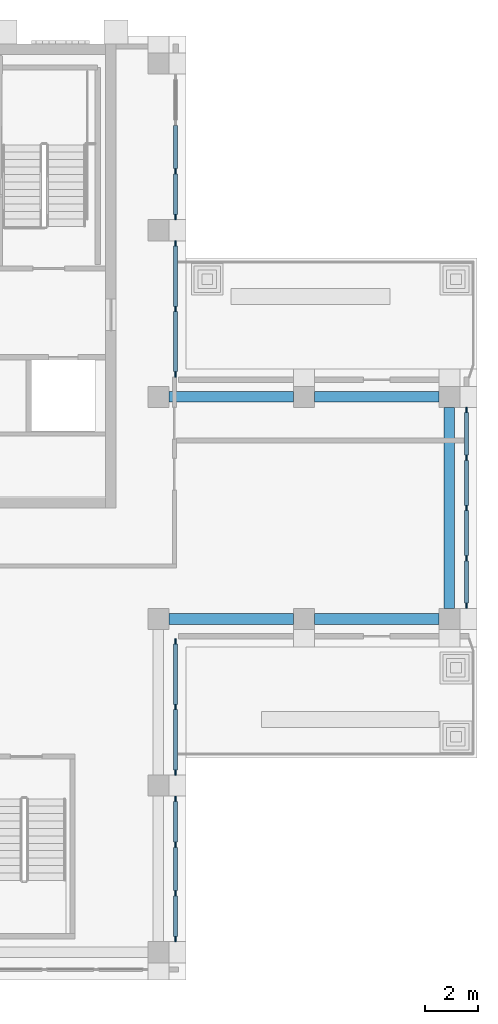
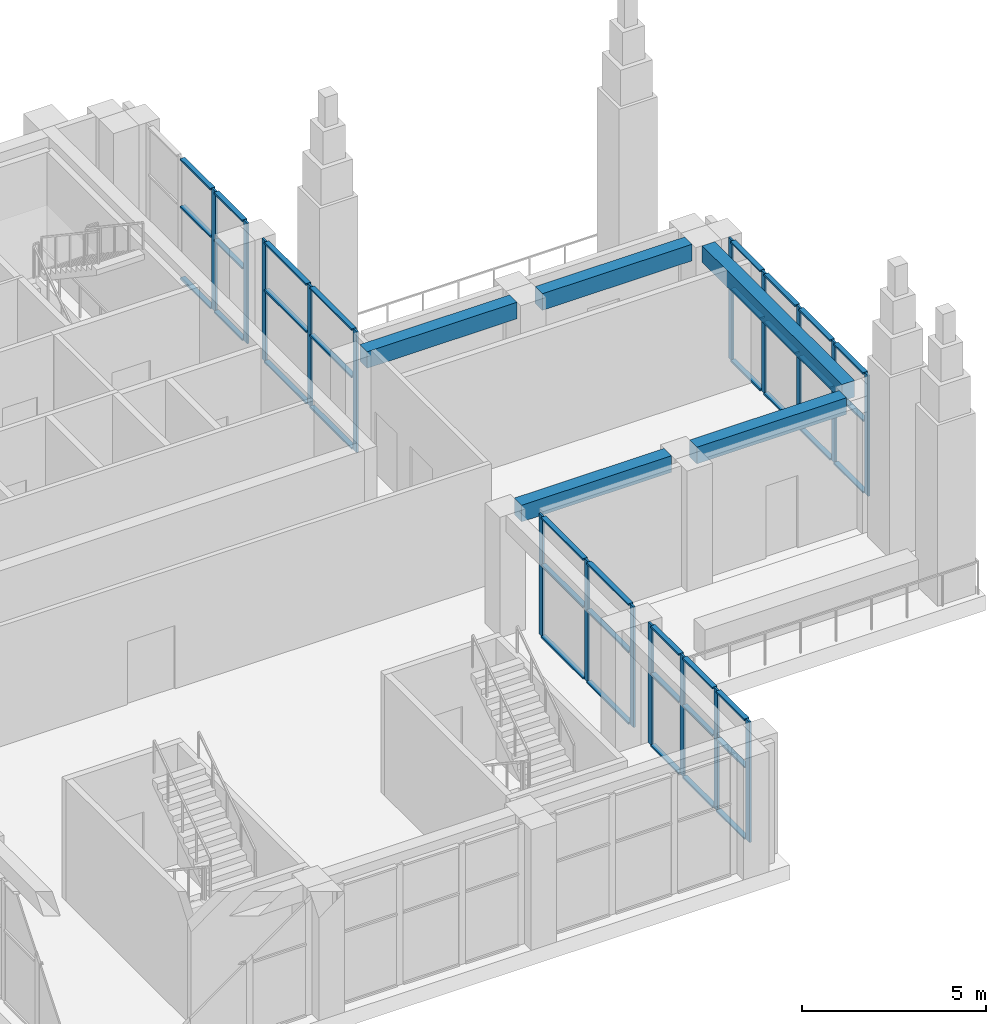
# One storey, part 5 of 14: 56 members, 5 beams, 5 elements without a shape of their own.
"""IFC4 building model written with IfcOpenShell, lengths in metres."""

import ifcopenshell
import ifcopenshell.guid

model = None  # the IFC model being written
_history = None  # IfcOwnerHistory: only IFC2X3 demands one
_inside = {}  # id of a spatial element -> (the spatial element, [elements in it])
_under = {}  # id of a project, library or spatial element -> (it, [spatial elements below it])
_declared = {}  # id of a project -> (the project, [libraries it declares])
_typed = {}  # id of a type object -> (the type object, [elements of that type])
_made_of = {}  # id of a material, layer set ... -> (it, [elements and type objects made of it])


def new_model(schema):
    """Start an empty IFC model of exactly this schema.

    Asked for "IFC4X3", IfcOpenShell would pick the latest addendum, in which some entities
    have other attributes; the version numbers below select the first issue.
    IFC2X3 requires an IfcOwnerHistory on every rooted entity: one is made here for all.
    """
    global model, _history
    if schema == "IFC4X3":
        model = ifcopenshell.file(schema_version=(4, 3, 0, 0))
    else:
        model = ifcopenshell.file(schema=schema)
    _inside.clear()
    _under.clear()
    _declared.clear()
    _typed.clear()
    _made_of.clear()
    _history = None
    if model.schema == "IFC2X3":
        org = make("IfcOrganization", Name="unknown")
        user = make(
            "IfcPersonAndOrganization",
            ThePerson=make("IfcPerson", FamilyName="unknown"),
            TheOrganization=org,
        )
        app = make(
            "IfcApplication",
            ApplicationDeveloper=org,
            Version="unknown",
            ApplicationFullName="unknown",
            ApplicationIdentifier="unknown",
        )
        _history = make(
            "IfcOwnerHistory",
            OwningUser=user,
            OwningApplication=app,
            ChangeAction="ADDED",
            CreationDate=0,
        )
    return model


def make(cls, **values):
    """One entity of the class cls with the attributes given. An attribute that is None is left unset."""
    return model.create_entity(
        cls, **{name: value for name, value in values.items() if value is not None}
    )


def rooted(cls, **values):
    """An entity with a GlobalId (a new one), such as an element, a storey or a relation."""
    return make(cls, GlobalId=ifcopenshell.guid.new(), OwnerHistory=_history, **values)


def si_unit(unit_type, name, prefix=None):
    """IfcSIUnit, for example si_unit("LENGTHUNIT", "METRE", prefix="MILLI")."""
    return make("IfcSIUnit", UnitType=unit_type, Prefix=prefix, Name=name)


def assignment(units):
    """IfcUnitAssignment: the units of a project."""
    return None if units is None else make("IfcUnitAssignment", Units=units)


def point(xyz):
    """IfcCartesianPoint."""
    return None if xyz is None else make("IfcCartesianPoint", Coordinates=xyz)


def direction(xyz):
    """IfcDirection."""
    return None if xyz is None else make("IfcDirection", DirectionRatios=xyz)


def frame(location, z_axis=None, x_axis=None):
    """IfcAxis2Placement3D, a coordinate frame: its origin and axes. An axis left out is left unset."""
    return make(
        "IfcAxis2Placement3D",
        Location=point(location),
        Axis=direction(z_axis),
        RefDirection=direction(x_axis),
    )


def frame_2d(location, x_axis=None):
    """IfcAxis2Placement2D, a coordinate frame in the plane: its origin and x axis."""
    return make(
        "IfcAxis2Placement2D", Location=point(location), RefDirection=direction(x_axis)
    )


def origin():
    """The frame at (0, 0, 0) with its axes left unset."""
    return frame((0.0, 0.0, 0.0))


def origin_2d():
    """The frame at (0, 0) in the plane with its x axis left unset."""
    return frame_2d((0.0, 0.0))


def place(relative_to, where):
    """IfcLocalPlacement: puts the frame where relative to a parent placement (None: the world)."""
    return make(
        "IfcLocalPlacement", PlacementRelTo=relative_to, RelativePlacement=where
    )


def context(
    kind, dimensions, precision=None, world=None, true_north=None, identifier=None
):
    """IfcGeometricRepresentationContext, for example the 3D "Model" context."""
    return make(
        "IfcGeometricRepresentationContext",
        ContextIdentifier=identifier,
        ContextType=kind,
        CoordinateSpaceDimension=dimensions,
        Precision=precision,
        WorldCoordinateSystem=world,
        TrueNorth=true_north,
    )


def subcontext(parent, identifier, kind, view, scale=None):
    """IfcGeometricRepresentationSubContext, for example "Body" below "Model"."""
    return make(
        "IfcGeometricRepresentationSubContext",
        ContextIdentifier=identifier,
        ContextType=kind,
        ParentContext=parent,
        TargetScale=scale,
        TargetView=view,
    )


def project(units=None, contexts=None):
    """IfcProject with its units and contexts."""
    return rooted(
        "IfcProject",
        Name="project",
        RepresentationContexts=contexts,
        UnitsInContext=assignment(units),
    )


def spatial(cls, under=None, at=None, **own):
    """A site, building, storey or space (cls), placed at a placement, below another one or the project."""
    s = rooted(cls, ObjectPlacement=at, **own)
    if under is not None:
        _under.setdefault(under.id(), (under, []))[1].append(s)
    return s


def profile(cls, at=None, kind="AREA", **sizes):
    """A parametric profile (cls). Its sizes go by their IFC names, for example OverallWidth=200.0."""
    return make(cls, ProfileType=kind, Position=at, **sizes)


def rectangle(**sizes):
    """IfcRectangleProfileDef."""
    return profile("IfcRectangleProfileDef", **sizes)


def extrude(swept, where, along, depth):
    """IfcExtrudedAreaSolid: the profile swept, set in the frame where, extruded along a direction by depth."""
    return make(
        "IfcExtrudedAreaSolid",
        SweptArea=swept,
        Position=where,
        ExtrudedDirection=direction(along),
        Depth=depth,
    )


def shape(context_of_items, identifier, shape_type, items):
    """IfcShapeRepresentation: the items that make up one representation, for example the "Body"."""
    return make(
        "IfcShapeRepresentation",
        ContextOfItems=context_of_items,
        RepresentationIdentifier=identifier,
        RepresentationType=shape_type,
        Items=items,
    )


def material(Name=None, Category=None):
    """IfcMaterial."""
    return make("IfcMaterial", Name=Name, Category=Category)


def material_profile(
    of_material, cross_section, Name=None, Category=None, Priority=None
):
    """IfcMaterialProfile: a cross section and its material."""
    return make(
        "IfcMaterialProfile",
        Name=Name,
        Material=of_material,
        Profile=cross_section,
        Priority=Priority,
        Category=Category,
    )


def profile_set(profiles, Name=None, composite=None):
    """IfcMaterialProfileSet."""
    return make(
        "IfcMaterialProfileSet",
        Name=Name,
        MaterialProfiles=profiles,
        CompositeProfile=composite,
    )


def made_of(thing, what):
    """Note that an element or type object is made of a material, layer set ...; save() writes the relation."""
    if what is not None:
        _made_of.setdefault(what.id(), (what, []))[1].append(thing)
    return thing


def type_object(cls, material=None, **own):
    """A type object (cls), such as IfcWallType, which elements share."""
    return made_of(rooted(cls, **own), material)


def element(
    cls,
    number,
    at=None,
    inside=None,
    cuts=None,
    type_object=None,
    material=None,
    context=None,
    identifier="Body",
    shape_type=None,
    held_by="IfcProductDefinitionShape",
    body=None,
    shapes=None,
    **own,
):
    """One element of the class cls, such as IfcWall. Its Tag is "e" and its number.

    at: its placement. inside: the storey or other place that contains it. cuts: it is an
    opening in that element (IfcRelVoidsElement). A single representation is given by context,
    identifier, shape_type and body (its items); several are given by shapes. held_by: the class
    of the entity that holds the representations. save() writes the other relations.
    """
    e = rooted(cls, Tag="e%d" % number, ObjectPlacement=at, **own)
    if body is not None:
        shapes = [shape(context, identifier, shape_type, body)]
    if shapes is not None:
        e.Representation = make(held_by, Representations=shapes)
    if inside is not None:
        _inside.setdefault(inside.id(), (inside, []))[1].append(e)
    if cuts is not None:
        rooted(
            "IfcRelVoidsElement", RelatingBuildingElement=cuts, RelatedOpeningElement=e
        )
    if type_object is not None:
        _typed.setdefault(type_object.id(), (type_object, []))[1].append(e)
    return made_of(e, material)


def aggregate(whole, parts):
    """IfcRelAggregates: a whole, such as a stair, and the parts it consists of."""
    return rooted("IfcRelAggregates", RelatingObject=whole, RelatedObjects=parts)


def save(model, path):
    """Write the relations noted so far, then the file.

    IfcRelAggregates (storeys below a building ...), IfcRelContainedInSpatialStructure (elements
    in a storey), IfcRelDefinesByType, IfcRelAssociatesMaterial and IfcRelDeclares: one each for
    every whole, place, type object, material and project.
    """
    for whole, parts in _under.values():
        aggregate(whole, parts)
    for where, things in _inside.values():
        rooted(
            "IfcRelContainedInSpatialStructure",
            RelatedElements=things,
            RelatingStructure=where,
        )
    for kind, things in _typed.values():
        rooted("IfcRelDefinesByType", RelatedObjects=things, RelatingType=kind)
    for what, things in _made_of.values():
        rooted("IfcRelAssociatesMaterial", RelatedObjects=things, RelatingMaterial=what)
    for by, libraries in _declared.values():
        rooted("IfcRelDeclares", RelatingContext=by, RelatedDefinitions=libraries)
    model.write(path)


model = new_model("IFC4")

# Units and contexts
model_context = context("Model", 3, precision=1e-05, world=origin(), true_north=direction((0.0, 1.0)))
body_context = subcontext(model_context, "Body", "Model", "MODEL_VIEW")
ifc_project = project(units=[si_unit("LENGTHUNIT", "METRE"), si_unit("AREAUNIT", "SQUARE_METRE"), si_unit("VOLUMEUNIT", "CUBIC_METRE"), si_unit("PLANEANGLEUNIT", "RADIAN"), si_unit("MASSUNIT", "GRAM", prefix="KILO")], contexts=[model_context])

# Site, building, storey
site_placement = place(None, origin())
site = spatial("IfcSite", under=ifc_project, at=site_placement, CompositionType="ELEMENT")
building_placement = place(site_placement, origin())
building = spatial("IfcBuilding", under=site, at=building_placement, Name="Vermilion Ogive Tower", CompositionType="ELEMENT")
storey_placement = place(building_placement, frame((0.0, 0.0, 284.85009765625)))
storey = spatial("IfcBuildingStorey", under=building, at=storey_placement, Name="L74", CompositionType="ELEMENT", Elevation=284.85009765625)

# Curtain wall, members
ifc_material_1 = material(Name="Low-iron laminated glazing in aluminium frame", Category="aluminium")
curtain_wall_type = type_object("IfcCurtainWallType", Name="Curtain wall CW3", PredefinedType="NOTDEFINED", material=ifc_material_1)
curtain_wall_1_placement = place(storey_placement, origin())
curtain_wall_1 = element("IfcCurtainWall", 1, at=curtain_wall_1_placement, inside=storey, type_object=curtain_wall_type, Name="CW3 glazing X11", PredefinedType="NOTDEFINED")
ifc_material_2 = material(Name="Aluminium mullion", Category="aluminium")
ifc_material_profile_1 = material_profile(ifc_material_2, rectangle(XDim=0.06005859375, YDim=0.199951171875, at=origin_2d()), Name="AL 60x200")
ifc_profile_set_1 = profile_set([ifc_material_profile_1], Name="Aluminium mullion")
member_type_1 = type_object("IfcMemberType", Name="CW3 mullion 60x200", PredefinedType="MULLION", material=ifc_profile_set_1)
member_1_placement = place(storey_placement, frame((10.64990234375, -12.10009765625, 0.0), z_axis=(0.0, 0.0, 1.0), x_axis=(-1.0, 0.0, 0.0)))
member_1 = element("IfcMember", 2, at=member_1_placement, type_object=member_type_1, Name="CW3-X11 mullion 1", PredefinedType="MULLION", context=body_context, shape_type="SweptSolid", body=[
    extrude(rectangle(XDim=0.06005859375, YDim=0.199951171875, at=origin_2d()), origin(), (0.0, 0.0, 1.0), 4.0),
])
member_2_placement = place(storey_placement, frame((10.64990234375, -10.36669921875, 0.0), z_axis=(0.0, 0.0, 1.0), x_axis=(-1.0, 0.0, 0.0)))
member_2 = element("IfcMember", 3, at=member_2_placement, type_object=member_type_1, Name="CW3-X11 mullion 2", PredefinedType="MULLION", context=body_context, shape_type="SweptSolid", body=[
    extrude(rectangle(XDim=0.06005859375, YDim=0.199951171875, at=origin_2d()), origin(), (0.0, 0.0, 1.0), 4.0),
])
member_3_placement = place(storey_placement, frame((10.64990234375, -8.533447265625, 0.0), z_axis=(0.0, 0.0, 1.0), x_axis=(-1.0, 0.0, 0.0)))
member_3 = element("IfcMember", 4, at=member_3_placement, type_object=member_type_1, Name="CW3-X11 mullion 3", PredefinedType="MULLION", context=body_context, shape_type="SweptSolid", body=[
    extrude(rectangle(XDim=0.06005859375, YDim=0.199951171875, at=origin_2d()), origin(), (0.0, 0.0, 1.0), 4.0),
])
member_4_placement = place(storey_placement, frame((10.64990234375, -6.800048828125, 0.0), z_axis=(0.0, 0.0, 1.0), x_axis=(-1.0, 0.0, 0.0)))
member_4 = element("IfcMember", 5, at=member_4_placement, type_object=member_type_1, Name="CW3-X11 mullion 4", PredefinedType="MULLION", context=body_context, shape_type="SweptSolid", body=[
    extrude(rectangle(XDim=0.06005859375, YDim=0.199951171875, at=origin_2d()), origin(), (0.0, 0.0, 1.0), 4.0),
])

curtain_wall_2_placement = place(storey_placement, origin())
curtain_wall_2 = element("IfcCurtainWall", 6, at=curtain_wall_2_placement, inside=storey, type_object=curtain_wall_type, Name="CW3 glazing X12", PredefinedType="NOTDEFINED")
member_5_placement = place(storey_placement, frame((10.64990234375, -5.800048828125, 0.0), z_axis=(0.0, 0.0, 1.0), x_axis=(-1.0, 0.0, 0.0)))
member_5 = element("IfcMember", 7, at=member_5_placement, type_object=member_type_1, Name="CW3-X12 mullion 1", PredefinedType="MULLION", context=body_context, shape_type="SweptSolid", body=[
    extrude(rectangle(XDim=0.06005859375, YDim=0.199951171875, at=origin_2d()), origin(), (0.0, 0.0, 1.0), 4.0),
])
member_6_placement = place(storey_placement, frame((10.64990234375, -3.324951171875, 0.0), z_axis=(0.0, 0.0, 1.0), x_axis=(-1.0, 0.0, 0.0)))
member_6 = element("IfcMember", 8, at=member_6_placement, type_object=member_type_1, Name="CW3-X12 mullion 2", PredefinedType="MULLION", context=body_context, shape_type="SweptSolid", body=[
    extrude(rectangle(XDim=0.06005859375, YDim=0.199951171875, at=origin_2d()), origin(), (0.0, 0.0, 1.0), 4.0),
])
member_7_placement = place(storey_placement, frame((10.64990234375, -0.85009765625, 0.0), z_axis=(0.0, 0.0, 1.0), x_axis=(-1.0, 0.0, 0.0)))
member_7 = element("IfcMember", 9, at=member_7_placement, type_object=member_type_1, Name="CW3-X12 mullion 3", PredefinedType="MULLION", context=body_context, shape_type="SweptSolid", body=[
    extrude(rectangle(XDim=0.06005859375, YDim=0.199951171875, at=origin_2d()), origin(), (0.0, 0.0, 1.0), 4.0),
])

curtain_wall_3_placement = place(storey_placement, origin())
curtain_wall_3 = element("IfcCurtainWall", 10, at=curtain_wall_3_placement, inside=storey, type_object=curtain_wall_type, Name="CW3 glazing E1", PredefinedType="NOTDEFINED")
member_8_placement = place(storey_placement, frame((21.64990234375, 0.5, 0.0), z_axis=(0.0, 0.0, 1.0), x_axis=(-1.0, 0.0, 0.0)))
member_8 = element("IfcMember", 11, at=member_8_placement, type_object=member_type_1, Name="CW3-E1 mullion 1", PredefinedType="MULLION", context=body_context, shape_type="SweptSolid", body=[
    extrude(rectangle(XDim=0.06005859375, YDim=0.199951171875, at=origin_2d()), origin(), (0.0, 0.0, 1.0), 4.0),
])
member_9_placement = place(storey_placement, frame((21.64990234375, 2.300048828125, 0.0), z_axis=(0.0, 0.0, 1.0), x_axis=(-1.0, 0.0, 0.0)))
member_9 = element("IfcMember", 12, at=member_9_placement, type_object=member_type_1, Name="CW3-E1 mullion 2", PredefinedType="MULLION", context=body_context, shape_type="SweptSolid", body=[
    extrude(rectangle(XDim=0.06005859375, YDim=0.199951171875, at=origin_2d()), origin(), (0.0, 0.0, 1.0), 4.0),
])
member_10_placement = place(storey_placement, frame((21.64990234375, 4.199951171875, 0.0), z_axis=(0.0, 0.0, 1.0), x_axis=(-1.0, 0.0, 0.0)))
member_10 = element("IfcMember", 13, at=member_10_placement, type_object=member_type_1, Name="CW3-E1 mullion 3", PredefinedType="MULLION", context=body_context, shape_type="SweptSolid", body=[
    extrude(rectangle(XDim=0.06005859375, YDim=0.199951171875, at=origin_2d()), origin(), (0.0, 0.0, 1.0), 4.0),
])
member_11_placement = place(storey_placement, frame((21.64990234375, 6.10009765625, 0.0), z_axis=(0.0, 0.0, 1.0), x_axis=(-1.0, 0.0, 0.0)))
member_11 = element("IfcMember", 14, at=member_11_placement, type_object=member_type_1, Name="CW3-E1 mullion 4", PredefinedType="MULLION", context=body_context, shape_type="SweptSolid", body=[
    extrude(rectangle(XDim=0.06005859375, YDim=0.199951171875, at=origin_2d()), origin(), (0.0, 0.0, 1.0), 4.0),
])
member_12_placement = place(storey_placement, frame((21.64990234375, 7.89990234375, 0.0), z_axis=(0.0, 0.0, 1.0), x_axis=(-1.0, 0.0, 0.0)))
member_12 = element("IfcMember", 15, at=member_12_placement, type_object=member_type_1, Name="CW3-E1 mullion 5", PredefinedType="MULLION", context=body_context, shape_type="SweptSolid", body=[
    extrude(rectangle(XDim=0.06005859375, YDim=0.199951171875, at=origin_2d()), origin(), (0.0, 0.0, 1.0), 4.0),
])

curtain_wall_4_placement = place(storey_placement, origin())
curtain_wall_4 = element("IfcCurtainWall", 16, at=curtain_wall_4_placement, inside=storey, type_object=curtain_wall_type, Name="CW3 glazing X41", PredefinedType="NOTDEFINED")
member_13_placement = place(storey_placement, frame((10.64990234375, 9.25, 0.0), z_axis=(0.0, 0.0, 1.0), x_axis=(-1.0, 0.0, 0.0)))
member_13 = element("IfcMember", 17, at=member_13_placement, type_object=member_type_1, Name="CW3-X41 mullion 1", PredefinedType="MULLION", context=body_context, shape_type="SweptSolid", body=[
    extrude(rectangle(XDim=0.06005859375, YDim=0.199951171875, at=origin_2d()), origin(), (0.0, 0.0, 1.0), 4.0),
])
member_14_placement = place(storey_placement, frame((10.64990234375, 11.72509765625, 0.0), z_axis=(0.0, 0.0, 1.0), x_axis=(-1.0, 0.0, 0.0)))
member_14 = element("IfcMember", 18, at=member_14_placement, type_object=member_type_1, Name="CW3-X41 mullion 2", PredefinedType="MULLION", context=body_context, shape_type="SweptSolid", body=[
    extrude(rectangle(XDim=0.06005859375, YDim=0.199951171875, at=origin_2d()), origin(), (0.0, 0.0, 1.0), 4.0),
])
member_15_placement = place(storey_placement, frame((10.64990234375, 14.199951171875, 0.0), z_axis=(0.0, 0.0, 1.0), x_axis=(-1.0, 0.0, 0.0)))
member_15 = element("IfcMember", 19, at=member_15_placement, type_object=member_type_1, Name="CW3-X41 mullion 3", PredefinedType="MULLION", context=body_context, shape_type="SweptSolid", body=[
    extrude(rectangle(XDim=0.06005859375, YDim=0.199951171875, at=origin_2d()), origin(), (0.0, 0.0, 1.0), 4.0),
])

curtain_wall_5_placement = place(storey_placement, origin())
curtain_wall_5 = element("IfcCurtainWall", 20, at=curtain_wall_5_placement, inside=storey, type_object=curtain_wall_type, Name="CW3 glazing X42", PredefinedType="NOTDEFINED")
member_16_placement = place(storey_placement, frame((10.64990234375, 15.199951171875, 0.0), z_axis=(0.0, 0.0, 1.0), x_axis=(-1.0, 0.0, 0.0)))
member_16 = element("IfcMember", 21, at=member_16_placement, type_object=member_type_1, Name="CW3-X42 mullion 1", PredefinedType="MULLION", context=body_context, shape_type="SweptSolid", body=[
    extrude(rectangle(XDim=0.06005859375, YDim=0.199951171875, at=origin_2d()), origin(), (0.0, 0.0, 1.0), 4.0),
])
member_17_placement = place(storey_placement, frame((10.64990234375, 16.933349609375, 0.0), z_axis=(0.0, 0.0, 1.0), x_axis=(-1.0, 0.0, 0.0)))
member_17 = element("IfcMember", 22, at=member_17_placement, type_object=member_type_1, Name="CW3-X42 mullion 2", PredefinedType="MULLION", context=body_context, shape_type="SweptSolid", body=[
    extrude(rectangle(XDim=0.06005859375, YDim=0.199951171875, at=origin_2d()), origin(), (0.0, 0.0, 1.0), 4.0),
])

# Member
ifc_material_3 = material(Name="Aluminium transom", Category="aluminium")
ifc_material_profile_2 = material_profile(ifc_material_3, rectangle(XDim=0.14990234375, YDim=0.06005859375, at=origin_2d()), Name="AL 60x150")
ifc_profile_set_2 = profile_set([ifc_material_profile_2], Name="Aluminium transom")
member_type_2 = type_object("IfcMemberType", Name="CW3 transom 60x150", PredefinedType="USERDEFINED", material=ifc_profile_set_2)
member_18_placement = place(storey_placement, frame((10.64990234375, -12.0, 0.02978515625), z_axis=(0.0, 1.0, 0.0), x_axis=(-1.0, 0.0, 0.0)))
member_18 = element("IfcMember", 23, at=member_18_placement, type_object=member_type_2, Name="CW3-X11 transom 1.1", ObjectType="TRANSOM", PredefinedType="USERDEFINED", context=body_context, shape_type="SweptSolid", body=[
    extrude(rectangle(XDim=0.14990234375, YDim=0.06005859375, at=origin_2d()), origin(), (0.0, 0.0, 1.0), 1.533447265625),
])

member_19_placement = place(storey_placement, frame((10.64990234375, -12.0, 2.39990234375), z_axis=(0.0, 1.0, 0.0), x_axis=(-1.0, 0.0, 0.0)))
member_19 = element("IfcMember", 24, at=member_19_placement, type_object=member_type_2, Name="CW3-X11 transom 1.2", ObjectType="TRANSOM", PredefinedType="USERDEFINED", context=body_context, shape_type="SweptSolid", body=[
    extrude(rectangle(XDim=0.14990234375, YDim=0.06005859375, at=origin_2d()), origin(), (0.0, 0.0, 1.0), 1.533447265625),
])

member_20_placement = place(storey_placement, frame((10.64990234375, -12.0, 3.969970703125), z_axis=(0.0, 1.0, 0.0), x_axis=(-1.0, 0.0, 0.0)))
member_20 = element("IfcMember", 25, at=member_20_placement, type_object=member_type_2, Name="CW3-X11 transom 1.3", ObjectType="TRANSOM", PredefinedType="USERDEFINED", context=body_context, shape_type="SweptSolid", body=[
    extrude(rectangle(XDim=0.14990234375, YDim=0.06005859375, at=origin_2d()), origin(), (0.0, 0.0, 1.0), 1.533447265625),
])

member_21_placement = place(storey_placement, frame((10.64990234375, -10.2666015625, 0.02978515625), z_axis=(0.0, 1.0, 0.0), x_axis=(-1.0, 0.0, 0.0)))
member_21 = element("IfcMember", 26, at=member_21_placement, type_object=member_type_2, Name="CW3-X11 transom 2.1", ObjectType="TRANSOM", PredefinedType="USERDEFINED", context=body_context, shape_type="SweptSolid", body=[
    extrude(rectangle(XDim=0.14990234375, YDim=0.06005859375, at=origin_2d()), origin(), (0.0, 0.0, 1.0), 1.63330078125),
])

member_22_placement = place(storey_placement, frame((10.64990234375, -10.2666015625, 2.39990234375), z_axis=(0.0, 1.0, 0.0), x_axis=(-1.0, 0.0, 0.0)))
member_22 = element("IfcMember", 27, at=member_22_placement, type_object=member_type_2, Name="CW3-X11 transom 2.2", ObjectType="TRANSOM", PredefinedType="USERDEFINED", context=body_context, shape_type="SweptSolid", body=[
    extrude(rectangle(XDim=0.14990234375, YDim=0.06005859375, at=origin_2d()), origin(), (0.0, 0.0, 1.0), 1.63330078125),
])

member_23_placement = place(storey_placement, frame((10.64990234375, -10.2666015625, 3.969970703125), z_axis=(0.0, 1.0, 0.0), x_axis=(-1.0, 0.0, 0.0)))
member_23 = element("IfcMember", 28, at=member_23_placement, type_object=member_type_2, Name="CW3-X11 transom 2.3", ObjectType="TRANSOM", PredefinedType="USERDEFINED", context=body_context, shape_type="SweptSolid", body=[
    extrude(rectangle(XDim=0.14990234375, YDim=0.06005859375, at=origin_2d()), origin(), (0.0, 0.0, 1.0), 1.63330078125),
])

member_24_placement = place(storey_placement, frame((10.64990234375, -8.433349609375, 0.02978515625), z_axis=(0.0, 1.0, 0.0), x_axis=(-1.0, 0.0, 0.0)))
member_24 = element("IfcMember", 29, at=member_24_placement, type_object=member_type_2, Name="CW3-X11 transom 3.1", ObjectType="TRANSOM", PredefinedType="USERDEFINED", context=body_context, shape_type="SweptSolid", body=[
    extrude(rectangle(XDim=0.14990234375, YDim=0.06005859375, at=origin_2d()), origin(), (0.0, 0.0, 1.0), 1.533447265625),
])

member_25_placement = place(storey_placement, frame((10.64990234375, -8.433349609375, 2.39990234375), z_axis=(0.0, 1.0, 0.0), x_axis=(-1.0, 0.0, 0.0)))
member_25 = element("IfcMember", 30, at=member_25_placement, type_object=member_type_2, Name="CW3-X11 transom 3.2", ObjectType="TRANSOM", PredefinedType="USERDEFINED", context=body_context, shape_type="SweptSolid", body=[
    extrude(rectangle(XDim=0.14990234375, YDim=0.06005859375, at=origin_2d()), origin(), (0.0, 0.0, 1.0), 1.533447265625),
])

member_26_placement = place(storey_placement, frame((10.64990234375, -8.433349609375, 3.969970703125), z_axis=(0.0, 1.0, 0.0), x_axis=(-1.0, 0.0, 0.0)))
member_26 = element("IfcMember", 31, at=member_26_placement, type_object=member_type_2, Name="CW3-X11 transom 3.3", ObjectType="TRANSOM", PredefinedType="USERDEFINED", context=body_context, shape_type="SweptSolid", body=[
    extrude(rectangle(XDim=0.14990234375, YDim=0.06005859375, at=origin_2d()), origin(), (0.0, 0.0, 1.0), 1.533447265625),
])

aggregate(curtain_wall_1, [member_1, member_2, member_3, member_4, member_18, member_19, member_20, member_21, member_22, member_23, member_24, member_25, member_26])

member_27_placement = place(storey_placement, frame((10.64990234375, -5.699951171875, 0.02978515625), z_axis=(0.0, 1.0, 0.0), x_axis=(-1.0, 0.0, 0.0)))
member_27 = element("IfcMember", 32, at=member_27_placement, type_object=member_type_2, Name="CW3-X12 transom 1.1", ObjectType="TRANSOM", PredefinedType="USERDEFINED", context=body_context, shape_type="SweptSolid", body=[
    extrude(rectangle(XDim=0.14990234375, YDim=0.06005859375, at=origin_2d()), origin(), (0.0, 0.0, 1.0), 2.27490234375),
])

member_28_placement = place(storey_placement, frame((10.64990234375, -5.699951171875, 2.39990234375), z_axis=(0.0, 1.0, 0.0), x_axis=(-1.0, 0.0, 0.0)))
member_28 = element("IfcMember", 33, at=member_28_placement, type_object=member_type_2, Name="CW3-X12 transom 1.2", ObjectType="TRANSOM", PredefinedType="USERDEFINED", context=body_context, shape_type="SweptSolid", body=[
    extrude(rectangle(XDim=0.14990234375, YDim=0.06005859375, at=origin_2d()), origin(), (0.0, 0.0, 1.0), 2.27490234375),
])

member_29_placement = place(storey_placement, frame((10.64990234375, -5.699951171875, 3.969970703125), z_axis=(0.0, 1.0, 0.0), x_axis=(-1.0, 0.0, 0.0)))
member_29 = element("IfcMember", 34, at=member_29_placement, type_object=member_type_2, Name="CW3-X12 transom 1.3", ObjectType="TRANSOM", PredefinedType="USERDEFINED", context=body_context, shape_type="SweptSolid", body=[
    extrude(rectangle(XDim=0.14990234375, YDim=0.06005859375, at=origin_2d()), origin(), (0.0, 0.0, 1.0), 2.27490234375),
])

member_30_placement = place(storey_placement, frame((10.64990234375, -3.22509765625, 0.02978515625), z_axis=(0.0, 1.0, 0.0), x_axis=(-1.0, 0.0, 0.0)))
member_30 = element("IfcMember", 35, at=member_30_placement, type_object=member_type_2, Name="CW3-X12 transom 2.1", ObjectType="TRANSOM", PredefinedType="USERDEFINED", context=body_context, shape_type="SweptSolid", body=[
    extrude(rectangle(XDim=0.14990234375, YDim=0.06005859375, at=origin_2d()), origin(), (0.0, 0.0, 1.0), 2.275146484375),
])

member_31_placement = place(storey_placement, frame((10.64990234375, -3.22509765625, 2.39990234375), z_axis=(0.0, 1.0, 0.0), x_axis=(-1.0, 0.0, 0.0)))
member_31 = element("IfcMember", 36, at=member_31_placement, type_object=member_type_2, Name="CW3-X12 transom 2.2", ObjectType="TRANSOM", PredefinedType="USERDEFINED", context=body_context, shape_type="SweptSolid", body=[
    extrude(rectangle(XDim=0.14990234375, YDim=0.06005859375, at=origin_2d()), origin(), (0.0, 0.0, 1.0), 2.275146484375),
])

member_32_placement = place(storey_placement, frame((10.64990234375, -3.22509765625, 3.969970703125), z_axis=(0.0, 1.0, 0.0), x_axis=(-1.0, 0.0, 0.0)))
member_32 = element("IfcMember", 37, at=member_32_placement, type_object=member_type_2, Name="CW3-X12 transom 2.3", ObjectType="TRANSOM", PredefinedType="USERDEFINED", context=body_context, shape_type="SweptSolid", body=[
    extrude(rectangle(XDim=0.14990234375, YDim=0.06005859375, at=origin_2d()), origin(), (0.0, 0.0, 1.0), 2.275146484375),
])

aggregate(curtain_wall_2, [member_5, member_6, member_7, member_27, member_28, member_29, member_30, member_31, member_32])

member_33_placement = place(storey_placement, frame((21.64990234375, 0.60009765625, 0.02978515625), z_axis=(0.0, 1.0, 0.0), x_axis=(-1.0, 0.0, 0.0)))
member_33 = element("IfcMember", 38, at=member_33_placement, type_object=member_type_2, Name="CW3-E1 transom 1.1", ObjectType="TRANSOM", PredefinedType="USERDEFINED", context=body_context, shape_type="SweptSolid", body=[
    extrude(rectangle(XDim=0.14990234375, YDim=0.06005859375, at=origin_2d()), origin(), (0.0, 0.0, 1.0), 1.599853515625),
])

member_34_placement = place(storey_placement, frame((21.64990234375, 0.60009765625, 2.39990234375), z_axis=(0.0, 1.0, 0.0), x_axis=(-1.0, 0.0, 0.0)))
member_34 = element("IfcMember", 39, at=member_34_placement, type_object=member_type_2, Name="CW3-E1 transom 1.2", ObjectType="TRANSOM", PredefinedType="USERDEFINED", context=body_context, shape_type="SweptSolid", body=[
    extrude(rectangle(XDim=0.14990234375, YDim=0.06005859375, at=origin_2d()), origin(), (0.0, 0.0, 1.0), 1.599853515625),
])

member_35_placement = place(storey_placement, frame((21.64990234375, 0.60009765625, 3.969970703125), z_axis=(0.0, 1.0, 0.0), x_axis=(-1.0, 0.0, 0.0)))
member_35 = element("IfcMember", 40, at=member_35_placement, type_object=member_type_2, Name="CW3-E1 transom 1.3", ObjectType="TRANSOM", PredefinedType="USERDEFINED", context=body_context, shape_type="SweptSolid", body=[
    extrude(rectangle(XDim=0.14990234375, YDim=0.06005859375, at=origin_2d()), origin(), (0.0, 0.0, 1.0), 1.599853515625),
])

member_36_placement = place(storey_placement, frame((21.64990234375, 2.39990234375, 0.02978515625), z_axis=(0.0, 1.0, 0.0), x_axis=(-1.0, 0.0, 0.0)))
member_36 = element("IfcMember", 41, at=member_36_placement, type_object=member_type_2, Name="CW3-E1 transom 2.1", ObjectType="TRANSOM", PredefinedType="USERDEFINED", context=body_context, shape_type="SweptSolid", body=[
    extrude(rectangle(XDim=0.14990234375, YDim=0.06005859375, at=origin_2d()), origin(), (0.0, 0.0, 1.0), 1.7001953125),
])

member_37_placement = place(storey_placement, frame((21.64990234375, 2.39990234375, 2.39990234375), z_axis=(0.0, 1.0, 0.0), x_axis=(-1.0, 0.0, 0.0)))
member_37 = element("IfcMember", 42, at=member_37_placement, type_object=member_type_2, Name="CW3-E1 transom 2.2", ObjectType="TRANSOM", PredefinedType="USERDEFINED", context=body_context, shape_type="SweptSolid", body=[
    extrude(rectangle(XDim=0.14990234375, YDim=0.06005859375, at=origin_2d()), origin(), (0.0, 0.0, 1.0), 1.7001953125),
])

member_38_placement = place(storey_placement, frame((21.64990234375, 2.39990234375, 3.969970703125), z_axis=(0.0, 1.0, 0.0), x_axis=(-1.0, 0.0, 0.0)))
member_38 = element("IfcMember", 43, at=member_38_placement, type_object=member_type_2, Name="CW3-E1 transom 2.3", ObjectType="TRANSOM", PredefinedType="USERDEFINED", context=body_context, shape_type="SweptSolid", body=[
    extrude(rectangle(XDim=0.14990234375, YDim=0.06005859375, at=origin_2d()), origin(), (0.0, 0.0, 1.0), 1.7001953125),
])

member_39_placement = place(storey_placement, frame((21.64990234375, 4.300048828125, 0.02978515625), z_axis=(0.0, 1.0, 0.0), x_axis=(-1.0, 0.0, 0.0)))
member_39 = element("IfcMember", 44, at=member_39_placement, type_object=member_type_2, Name="CW3-E1 transom 3.1", ObjectType="TRANSOM", PredefinedType="USERDEFINED", context=body_context, shape_type="SweptSolid", body=[
    extrude(rectangle(XDim=0.14990234375, YDim=0.06005859375, at=origin_2d()), origin(), (0.0, 0.0, 1.0), 1.699951171875),
])

member_40_placement = place(storey_placement, frame((21.64990234375, 4.300048828125, 2.39990234375), z_axis=(0.0, 1.0, 0.0), x_axis=(-1.0, 0.0, 0.0)))
member_40 = element("IfcMember", 45, at=member_40_placement, type_object=member_type_2, Name="CW3-E1 transom 3.2", ObjectType="TRANSOM", PredefinedType="USERDEFINED", context=body_context, shape_type="SweptSolid", body=[
    extrude(rectangle(XDim=0.14990234375, YDim=0.06005859375, at=origin_2d()), origin(), (0.0, 0.0, 1.0), 1.699951171875),
])

member_41_placement = place(storey_placement, frame((21.64990234375, 4.300048828125, 3.969970703125), z_axis=(0.0, 1.0, 0.0), x_axis=(-1.0, 0.0, 0.0)))
member_41 = element("IfcMember", 46, at=member_41_placement, type_object=member_type_2, Name="CW3-E1 transom 3.3", ObjectType="TRANSOM", PredefinedType="USERDEFINED", context=body_context, shape_type="SweptSolid", body=[
    extrude(rectangle(XDim=0.14990234375, YDim=0.06005859375, at=origin_2d()), origin(), (0.0, 0.0, 1.0), 1.699951171875),
])

member_42_placement = place(storey_placement, frame((21.64990234375, 6.199951171875, 0.02978515625), z_axis=(0.0, 1.0, 0.0), x_axis=(-1.0, 0.0, 0.0)))
member_42 = element("IfcMember", 47, at=member_42_placement, type_object=member_type_2, Name="CW3-E1 transom 4.1", ObjectType="TRANSOM", PredefinedType="USERDEFINED", context=body_context, shape_type="SweptSolid", body=[
    extrude(rectangle(XDim=0.14990234375, YDim=0.06005859375, at=origin_2d()), origin(), (0.0, 0.0, 1.0), 1.60009765625),
])

member_43_placement = place(storey_placement, frame((21.64990234375, 6.199951171875, 2.39990234375), z_axis=(0.0, 1.0, 0.0), x_axis=(-1.0, 0.0, 0.0)))
member_43 = element("IfcMember", 48, at=member_43_placement, type_object=member_type_2, Name="CW3-E1 transom 4.2", ObjectType="TRANSOM", PredefinedType="USERDEFINED", context=body_context, shape_type="SweptSolid", body=[
    extrude(rectangle(XDim=0.14990234375, YDim=0.06005859375, at=origin_2d()), origin(), (0.0, 0.0, 1.0), 1.60009765625),
])

member_44_placement = place(storey_placement, frame((21.64990234375, 6.199951171875, 3.969970703125), z_axis=(0.0, 1.0, 0.0), x_axis=(-1.0, 0.0, 0.0)))
member_44 = element("IfcMember", 49, at=member_44_placement, type_object=member_type_2, Name="CW3-E1 transom 4.3", ObjectType="TRANSOM", PredefinedType="USERDEFINED", context=body_context, shape_type="SweptSolid", body=[
    extrude(rectangle(XDim=0.14990234375, YDim=0.06005859375, at=origin_2d()), origin(), (0.0, 0.0, 1.0), 1.60009765625),
])

aggregate(curtain_wall_3, [member_8, member_9, member_10, member_11, member_12, member_33, member_34, member_35, member_36, member_37, member_38, member_39, member_40, member_41, member_42, member_43, member_44])

member_45_placement = place(storey_placement, frame((10.64990234375, 9.35009765625, 0.02978515625), z_axis=(0.0, 1.0, 0.0), x_axis=(-1.0, 0.0, 0.0)))
member_45 = element("IfcMember", 50, at=member_45_placement, type_object=member_type_2, Name="CW3-X41 transom 1.1", ObjectType="TRANSOM", PredefinedType="USERDEFINED", context=body_context, shape_type="SweptSolid", body=[
    extrude(rectangle(XDim=0.14990234375, YDim=0.06005859375, at=origin_2d()), origin(), (0.0, 0.0, 1.0), 2.27490234375),
])

member_46_placement = place(storey_placement, frame((10.64990234375, 9.35009765625, 2.39990234375), z_axis=(0.0, 1.0, 0.0), x_axis=(-1.0, 0.0, 0.0)))
member_46 = element("IfcMember", 51, at=member_46_placement, type_object=member_type_2, Name="CW3-X41 transom 1.2", ObjectType="TRANSOM", PredefinedType="USERDEFINED", context=body_context, shape_type="SweptSolid", body=[
    extrude(rectangle(XDim=0.14990234375, YDim=0.06005859375, at=origin_2d()), origin(), (0.0, 0.0, 1.0), 2.27490234375),
])

member_47_placement = place(storey_placement, frame((10.64990234375, 9.35009765625, 3.969970703125), z_axis=(0.0, 1.0, 0.0), x_axis=(-1.0, 0.0, 0.0)))
member_47 = element("IfcMember", 52, at=member_47_placement, type_object=member_type_2, Name="CW3-X41 transom 1.3", ObjectType="TRANSOM", PredefinedType="USERDEFINED", context=body_context, shape_type="SweptSolid", body=[
    extrude(rectangle(XDim=0.14990234375, YDim=0.06005859375, at=origin_2d()), origin(), (0.0, 0.0, 1.0), 2.27490234375),
])

member_48_placement = place(storey_placement, frame((10.64990234375, 11.824951171875, 0.02978515625), z_axis=(0.0, 1.0, 0.0), x_axis=(-1.0, 0.0, 0.0)))
member_48 = element("IfcMember", 53, at=member_48_placement, type_object=member_type_2, Name="CW3-X41 transom 2.1", ObjectType="TRANSOM", PredefinedType="USERDEFINED", context=body_context, shape_type="SweptSolid", body=[
    extrude(rectangle(XDim=0.14990234375, YDim=0.06005859375, at=origin_2d()), origin(), (0.0, 0.0, 1.0), 2.275146484375),
])

member_49_placement = place(storey_placement, frame((10.64990234375, 11.824951171875, 2.39990234375), z_axis=(0.0, 1.0, 0.0), x_axis=(-1.0, 0.0, 0.0)))
member_49 = element("IfcMember", 54, at=member_49_placement, type_object=member_type_2, Name="CW3-X41 transom 2.2", ObjectType="TRANSOM", PredefinedType="USERDEFINED", context=body_context, shape_type="SweptSolid", body=[
    extrude(rectangle(XDim=0.14990234375, YDim=0.06005859375, at=origin_2d()), origin(), (0.0, 0.0, 1.0), 2.275146484375),
])

member_50_placement = place(storey_placement, frame((10.64990234375, 11.824951171875, 3.969970703125), z_axis=(0.0, 1.0, 0.0), x_axis=(-1.0, 0.0, 0.0)))
member_50 = element("IfcMember", 55, at=member_50_placement, type_object=member_type_2, Name="CW3-X41 transom 2.3", ObjectType="TRANSOM", PredefinedType="USERDEFINED", context=body_context, shape_type="SweptSolid", body=[
    extrude(rectangle(XDim=0.14990234375, YDim=0.06005859375, at=origin_2d()), origin(), (0.0, 0.0, 1.0), 2.275146484375),
])

aggregate(curtain_wall_4, [member_13, member_14, member_15, member_45, member_46, member_47, member_48, member_49, member_50])

member_51_placement = place(storey_placement, frame((10.64990234375, 15.300048828125, 0.02978515625), z_axis=(0.0, 1.0, 0.0), x_axis=(-1.0, 0.0, 0.0)))
member_51 = element("IfcMember", 56, at=member_51_placement, type_object=member_type_2, Name="CW3-X42 transom 1.1", ObjectType="TRANSOM", PredefinedType="USERDEFINED", context=body_context, shape_type="SweptSolid", body=[
    extrude(rectangle(XDim=0.14990234375, YDim=0.06005859375, at=origin_2d()), origin(), (0.0, 0.0, 1.0), 1.533203125),
])

member_52_placement = place(storey_placement, frame((10.64990234375, 15.300048828125, 2.39990234375), z_axis=(0.0, 1.0, 0.0), x_axis=(-1.0, 0.0, 0.0)))
member_52 = element("IfcMember", 57, at=member_52_placement, type_object=member_type_2, Name="CW3-X42 transom 1.2", ObjectType="TRANSOM", PredefinedType="USERDEFINED", context=body_context, shape_type="SweptSolid", body=[
    extrude(rectangle(XDim=0.14990234375, YDim=0.06005859375, at=origin_2d()), origin(), (0.0, 0.0, 1.0), 1.533203125),
])

member_53_placement = place(storey_placement, frame((10.64990234375, 15.300048828125, 3.969970703125), z_axis=(0.0, 1.0, 0.0), x_axis=(-1.0, 0.0, 0.0)))
member_53 = element("IfcMember", 58, at=member_53_placement, type_object=member_type_2, Name="CW3-X42 transom 1.3", ObjectType="TRANSOM", PredefinedType="USERDEFINED", context=body_context, shape_type="SweptSolid", body=[
    extrude(rectangle(XDim=0.14990234375, YDim=0.06005859375, at=origin_2d()), origin(), (0.0, 0.0, 1.0), 1.533203125),
])

member_54_placement = place(storey_placement, frame((10.64990234375, 17.033447265625, 0.02978515625), z_axis=(0.0, 1.0, 0.0), x_axis=(-1.0, 0.0, 0.0)))
member_54 = element("IfcMember", 59, at=member_54_placement, type_object=member_type_2, Name="CW3-X42 transom 2.1", ObjectType="TRANSOM", PredefinedType="USERDEFINED", context=body_context, shape_type="SweptSolid", body=[
    extrude(rectangle(XDim=0.14990234375, YDim=0.06005859375, at=origin_2d()), origin(), (0.0, 0.0, 1.0), 1.63330078125),
])

member_55_placement = place(storey_placement, frame((10.64990234375, 17.033447265625, 2.39990234375), z_axis=(0.0, 1.0, 0.0), x_axis=(-1.0, 0.0, 0.0)))
member_55 = element("IfcMember", 60, at=member_55_placement, type_object=member_type_2, Name="CW3-X42 transom 2.2", ObjectType="TRANSOM", PredefinedType="USERDEFINED", context=body_context, shape_type="SweptSolid", body=[
    extrude(rectangle(XDim=0.14990234375, YDim=0.06005859375, at=origin_2d()), origin(), (0.0, 0.0, 1.0), 1.63330078125),
])

member_56_placement = place(storey_placement, frame((10.64990234375, 17.033447265625, 3.969970703125), z_axis=(0.0, 1.0, 0.0), x_axis=(-1.0, 0.0, 0.0)))
member_56 = element("IfcMember", 61, at=member_56_placement, type_object=member_type_2, Name="CW3-X42 transom 2.3", ObjectType="TRANSOM", PredefinedType="USERDEFINED", context=body_context, shape_type="SweptSolid", body=[
    extrude(rectangle(XDim=0.14990234375, YDim=0.06005859375, at=origin_2d()), origin(), (0.0, 0.0, 1.0), 1.63330078125),
])

aggregate(curtain_wall_5, [member_16, member_17, member_51, member_52, member_53, member_54, member_55, member_56])

# Beams
ifc_material_4 = material(Name="Concrete B45", Category="concrete")
ifc_material_profile_3 = material_profile(ifc_material_4, rectangle(XDim=0.39990234375, YDim=0.550048828125, at=origin_2d()), Name="400 x 550")
ifc_profile_set_3 = profile_set([ifc_material_profile_3], Name="Concrete B45")
beam_type = type_object("IfcBeamType", Name="Edge beam 400 x 550 B45", PredefinedType="BEAM", material=ifc_profile_set_3)
for number, where, z_axis, x_axis, name in (
    (62, (10.39990234375, 0.0, 3.724853515625), (1.0, 0.0, 0.0), (0.0, 1.0, 0.0), "L74-EB-6"),
    (63, (15.89990234375, 0.0, 3.724853515625), (1.0, 0.0, 0.0), (0.0, 1.0, 0.0), "L74-EB-7"),
):
    element("IfcBeam", number, at=place(storey_placement, frame(where, z_axis=z_axis, x_axis=x_axis)), inside=storey, type_object=beam_type, Name=name, PredefinedType="BEAM", context=body_context, shape_type="SweptSolid", body=[
        extrude(rectangle(XDim=0.39990234375, YDim=0.550048828125, at=origin_2d()), origin(), (0.0, 0.0, 1.0), 4.7001953125),
    ])
beam_placement = place(storey_placement, frame((21.0, 0.39990234375, 3.724853515625), z_axis=(0.0, 1.0, 0.0), x_axis=(-1.0, 0.0, 0.0)))
element("IfcBeam", 64, at=beam_placement, inside=storey, type_object=beam_type, Name="L74-EB-8", PredefinedType="BEAM", context=body_context, shape_type="SweptSolid", body=[
    extrude(rectangle(XDim=0.39990234375, YDim=0.550048828125, at=origin_2d()), origin(), (0.0, 0.0, 1.0), 7.60009765625),
])
for number, where, z_axis, x_axis, name in (
    (65, (20.60009765625, 8.39990234375, 3.724853515625), (-1.0, 0.0, 0.0), (0.0, -1.0, 0.0), "L74-EB-9"),
    (66, (15.10009765625, 8.39990234375, 3.724853515625), (-1.0, 0.0, 0.0), (0.0, -1.0, 0.0), "L74-EB-10"),
):
    element("IfcBeam", number, at=place(storey_placement, frame(where, z_axis=z_axis, x_axis=x_axis)), inside=storey, type_object=beam_type, Name=name, PredefinedType="BEAM", context=body_context, shape_type="SweptSolid", body=[
        extrude(rectangle(XDim=0.39990234375, YDim=0.550048828125, at=origin_2d()), origin(), (0.0, 0.0, 1.0), 4.7001953125),
    ])

save(model, "model.ifc")
